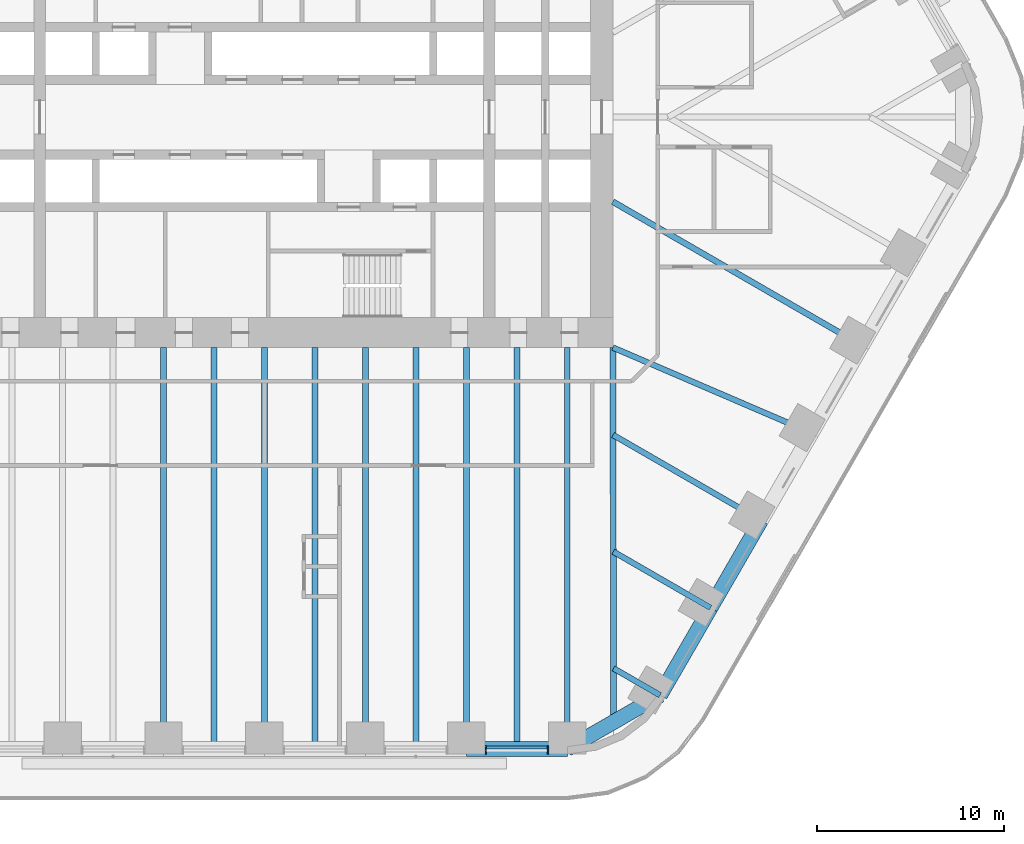
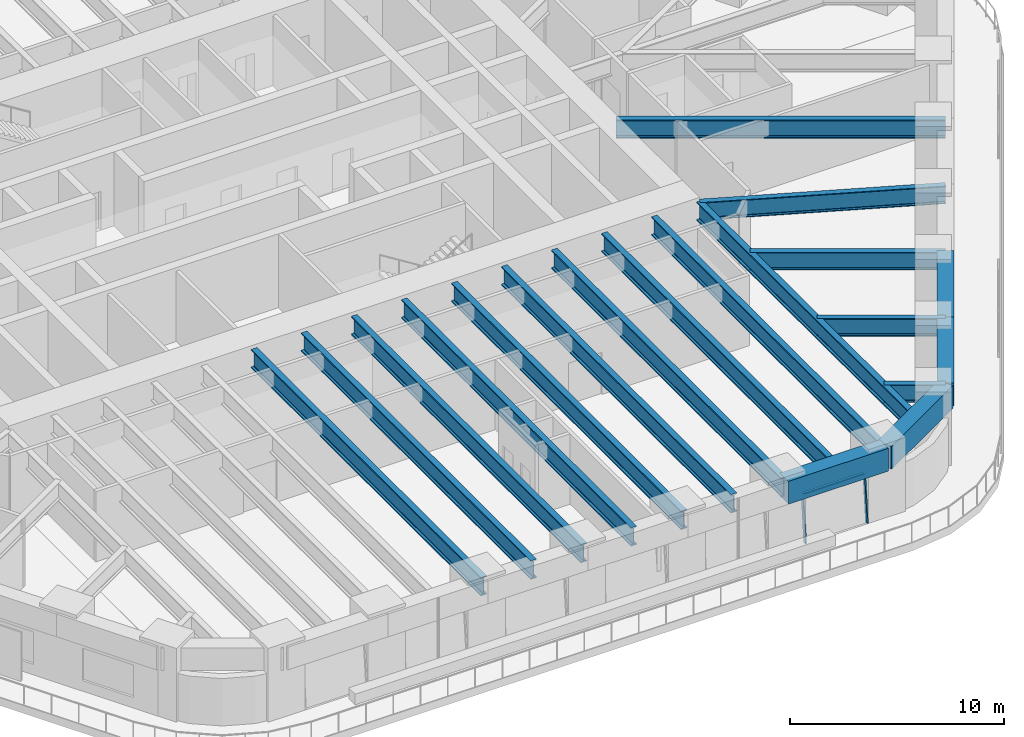
# One storey, part 5 of 24: 19 beams, 3 members, 1 element without a shape of its own.
"""IFC4 building model written with IfcOpenShell, lengths in metres."""

from ifc_helpers import new_model, si_unit, direction, frame, origin, origin_2d, place, context, subcontext, project, spatial, rectangle, i_section, extrude, material, material_profile, profile_set, type_object, element, aggregate, save


model = new_model("IFC4")

# Units and contexts
model_context = context("Model", 3, precision=1e-05, world=origin(), true_north=direction((0.0, 1.0)))
body_context = subcontext(model_context, "Body", "Model", "MODEL_VIEW")
ifc_project = project(units=[si_unit("LENGTHUNIT", "METRE"), si_unit("AREAUNIT", "SQUARE_METRE"), si_unit("VOLUMEUNIT", "CUBIC_METRE"), si_unit("PLANEANGLEUNIT", "RADIAN"), si_unit("MASSUNIT", "GRAM", prefix="KILO")], contexts=[model_context])

# Site, building, storey
site_placement = place(None, origin())
site = spatial("IfcSite", under=ifc_project, at=site_placement, CompositionType="ELEMENT")
building_placement = place(site_placement, origin())
building = spatial("IfcBuilding", under=site, at=building_placement, Name="Tarfa Lantern Tower", CompositionType="ELEMENT")
storey_placement = place(building_placement, frame((0.0, 0.0, 73.89990234375)))
storey = spatial("IfcBuildingStorey", under=building, at=storey_placement, Name="L16", CompositionType="ELEMENT", Elevation=73.89990234375)

# Curtain wall, members
ifc_material_1 = material(Name="Aluminium framed curtain wall", Category="aluminium")
curtain_wall_type = type_object("IfcCurtainWallType", Name="CW1 CANTED GLAZING LOW ZONE 2700", PredefinedType="USERDEFINED", material=ifc_material_1)
curtain_wall_placement = place(storey_placement, origin())
curtain_wall = element("IfcCurtainWall", 1, at=curtain_wall_placement, inside=storey, type_object=curtain_wall_type, Name="CW1 S L16", ObjectType="CURTAIN WALL", PredefinedType="USERDEFINED")
ifc_material_2 = material(Name="Aluminium mullion", Category="aluminium")
ifc_material_profile_1 = material_profile(ifc_material_2, rectangle(XDim=0.06494140625, YDim=0.199951171875, at=origin_2d()), Name="AL MULLION 65x200")
ifc_profile_set_1 = profile_set([ifc_material_profile_1], Name="Aluminium mullion")
member_type_1 = type_object("IfcMemberType", Name="CWM1 MULLION 65x200", PredefinedType="MULLION", material=ifc_profile_set_1)
member_1_placement = place(storey_placement, frame((11.809814453125, -33.89990234375, 0.0), z_axis=(0.0, 0.092191598296, 0.995741286281), x_axis=(-1.0, 0.0, 0.0)))
member_1 = element("IfcMember", 2, at=member_1_placement, type_object=member_type_1, Name="CW1 mullion 1", PredefinedType="MULLION", context=body_context, shape_type="SweptSolid", body=[
    extrude(rectangle(XDim=0.06494140625, YDim=0.199951171875, at=origin_2d()), origin(), (0.0, 0.0, 1.0), 2.711669921875),
])
member_2_placement = place(storey_placement, frame((15.13330078125, -33.89990234375, 0.0), z_axis=(0.0, 0.092191598296, 0.995741286281), x_axis=(-1.0, 0.0, 0.0)))
member_2 = element("IfcMember", 3, at=member_2_placement, type_object=member_type_1, Name="CW1 mullion 2", PredefinedType="MULLION", context=body_context, shape_type="SweptSolid", body=[
    extrude(rectangle(XDim=0.06494140625, YDim=0.199951171875, at=origin_2d()), origin(), (0.0, 0.0, 1.0), 2.711669921875),
])
ifc_material_3 = material(Name="Aluminium transom", Category="aluminium")
ifc_material_profile_2 = material_profile(ifc_material_3, rectangle(XDim=0.14990234375, YDim=0.06494140625, at=origin_2d()), Name="AL TRANSOM 150x65")
ifc_profile_set_2 = profile_set([ifc_material_profile_2], Name="Aluminium transom")
member_type_2 = type_object("IfcMemberType", Name="CWT1 TRANSOM 150x65", PredefinedType="USERDEFINED", material=ifc_profile_set_2)
member_3_placement = place(storey_placement, frame((11.84228515625, -33.653076171875, 2.66748046875), z_axis=(1.0, 0.0, 0.0), x_axis=(0.0, 1.0, 0.0)))
member_3 = element("IfcMember", 4, at=member_3_placement, type_object=member_type_2, Name="CW1 transom 1.2", ObjectType="TRANSOM", PredefinedType="USERDEFINED", context=body_context, shape_type="SweptSolid", body=[
    extrude(rectangle(XDim=0.14990234375, YDim=0.06494140625, at=origin_2d()), origin(), (0.0, 0.0, 1.0), 3.258544921875),
])
aggregate(curtain_wall, [member_1, member_2, member_3])

# Beams
ifc_material_4 = material(Name="Concrete C80/95", Category="concrete")
ifc_material_profile_3 = material_profile(ifc_material_4, rectangle(XDim=0.800048828125, YDim=1.300048828125, at=origin_2d()), Name="RC 800x1300")
ifc_profile_set_3 = profile_set([ifc_material_profile_3], Name="Concrete C80/95")
beam_type_1 = type_object("IfcBeamType", Name="EB1 RC 800x1300", PredefinedType="SPANDREL", material=ifc_profile_set_3)
beam_1_placement = place(storey_placement, frame((10.777099609375, -33.719970703125, 3.35009765625), z_axis=(1.0, 0.0, 0.0), x_axis=(0.0, 1.0, 0.0)))
element("IfcBeam", 5, at=beam_1_placement, inside=storey, type_object=beam_type_1, Name="Edge beam S5", PredefinedType="SPANDREL", context=body_context, shape_type="SweptSolid", body=[
    extrude(rectangle(XDim=0.800048828125, YDim=1.300048828125, at=origin_2d()), origin(), (0.0, 0.0, 1.0), 5.388671875),
])
beam_2_placement = place(storey_placement, frame((16.165771484375, -33.719970703125, 3.35009765625), z_axis=(0.866033479681, 0.499986011877, 0.0), x_axis=(-0.499986011877, 0.866033479681, 0.0)))
element("IfcBeam", 6, at=beam_2_placement, inside=storey, type_object=beam_type_1, Name="Edge beam S6", PredefinedType="SPANDREL", context=body_context, shape_type="SweptSolid", body=[
    extrude(rectangle(XDim=0.800048828125, YDim=1.300048828125, at=origin_2d()), origin(), (0.0, 0.0, 1.0), 5.719970703125),
])
for number, where, z_axis, x_axis, name in (
    (7, (21.119384765625, -30.860107421875, 3.35009765625), (0.499998287579, 0.866026392449, 0.0), (-0.866026392449, 0.499998287579, 0.0), "Edge beam SE0"),
    (8, (23.813720703125, -26.193359375, 3.35009765625), (0.499998287579, 0.866026392449, 0.0), (-0.866026392449, 0.499998287579, 0.0), "Edge beam SE1"),
):
    element("IfcBeam", number, at=place(storey_placement, frame(where, z_axis=z_axis, x_axis=x_axis)), inside=storey, type_object=beam_type_1, Name=name, PredefinedType="SPANDREL", context=body_context, shape_type="SweptSolid", body=[
        extrude(rectangle(XDim=0.800048828125, YDim=1.300048828125, at=origin_2d()), origin(), (0.0, 0.0, 1.0), 5.388671875),
    ])
ifc_material_5 = material(Name="Steel S460M", Category="steel")
ifc_material_profile_4 = material_profile(ifc_material_5, i_section(OverallWidth=0.302001953125, OverallDepth=1.008056640625, WebThickness=0.02099609375, FlangeThickness=0.0400390625, FilletRadius=0.030029296875, at=origin_2d()), Name="UB1016x305x349")
ifc_profile_set_4 = profile_set([ifc_material_profile_4], Name="Steel S460M")
beam_type_2 = type_object("IfcBeamType", Name="UB1016x305x349", PredefinedType="BEAM", material=ifc_profile_set_4)
beam_3_placement = place(storey_placement, frame((21.119384765625, -30.860107421875, 3.49609375), z_axis=(-0.866012580594, 0.500022209759, 0.0), x_axis=(-0.500022209759, -0.866012580594, 0.0)))
element("IfcBeam", 9, at=beam_3_placement, inside=storey, type_object=beam_type_2, Name="Floor beam SE0", PredefinedType="BEAM", context=body_context, shape_type="SweptSolid", body=[
    extrude(i_section(OverallWidth=0.302001953125, OverallDepth=1.008056640625, WebThickness=0.02099609375, FlangeThickness=0.0400390625, FilletRadius=0.030029296875, at=origin_2d()), origin(), (0.0, 0.0, 1.0), 2.866943359375),
])
beam_4_placement = place(storey_placement, frame((23.813720703125, -26.193359375, 3.49609375), z_axis=(-0.866015997389, 0.500016292001, 0.0), x_axis=(-0.500016292001, -0.866015997389, 0.0)))
element("IfcBeam", 10, at=beam_4_placement, inside=storey, type_object=beam_type_2, Name="Floor beam SE1", PredefinedType="BEAM", context=body_context, shape_type="SweptSolid", body=[
    extrude(i_section(OverallWidth=0.302001953125, OverallDepth=1.008056640625, WebThickness=0.02099609375, FlangeThickness=0.0400390625, FilletRadius=0.030029296875, at=origin_2d()), origin(), (0.0, 0.0, 1.0), 5.993408203125),
])
beam_5_placement = place(storey_placement, frame((26.508056640625, -21.526611328125, 3.49609375), z_axis=(-0.866035355799, 0.49998276221, 0.0), x_axis=(-0.49998276221, -0.866035355799, 0.0)))
element("IfcBeam", 11, at=beam_5_placement, inside=storey, type_object=beam_type_2, Name="Floor beam SE2", PredefinedType="BEAM", context=body_context, shape_type="SweptSolid", body=[
    extrude(i_section(OverallWidth=0.302001953125, OverallDepth=1.008056640625, WebThickness=0.02099609375, FlangeThickness=0.0400390625, FilletRadius=0.030029296875, at=origin_2d()), origin(), (0.0, 0.0, 1.0), 9.119873046875),
])
beam_6_placement = place(storey_placement, frame((29.202392578125, -16.860107421875, 3.49609375), z_axis=(-0.918635483867, 0.395106122175, 0.0), x_axis=(-0.395106122175, -0.918635483867, 0.0)))
element("IfcBeam", 12, at=beam_6_placement, inside=storey, type_object=beam_type_2, Name="Floor beam SE3", PredefinedType="BEAM", context=body_context, shape_type="SweptSolid", body=[
    extrude(i_section(OverallWidth=0.302001953125, OverallDepth=1.008056640625, WebThickness=0.02099609375, FlangeThickness=0.0400390625, FilletRadius=0.030029296875, at=origin_2d()), origin(), (0.0, 0.0, 1.0), 11.541259765625),
])
ifc_material_profile_5 = material_profile(ifc_material_5, i_section(OverallWidth=0.314208984375, OverallDepth=1.055908203125, WebThickness=0.035888671875, FlangeThickness=0.06396484375, FilletRadius=0.030029296875, at=origin_2d()), Name="UB1016x305x584")
ifc_profile_set_5 = profile_set([ifc_material_profile_5], Name="Steel S460M")
beam_type_3 = type_object("IfcBeamType", Name="UB1016x305x584", PredefinedType="BEAM", material=ifc_profile_set_5)
beam_7_placement = place(storey_placement, frame((18.60009765625, -12.300048828125, 3.47216796875), z_axis=(0.00212508222, -0.99999774201, 0.0), x_axis=(0.99999774201, 0.00212508222, 0.0)))
element("IfcBeam", 13, at=beam_7_placement, inside=storey, type_object=beam_type_3, Name="Hip girder SE", PredefinedType="BEAM", context=body_context, shape_type="SweptSolid", body=[
    extrude(i_section(OverallWidth=0.314208984375, OverallDepth=1.055908203125, WebThickness=0.035888671875, FlangeThickness=0.06396484375, FilletRadius=0.030029296875, at=origin_2d()), origin(), (0.0, 0.0, 1.0), 19.989990234375),
])
for number, where, z_axis, x_axis, name in (
    (14, (-5.388671875, -33.719970703125, 3.47216796875), (0.0, 1.0, 0.0), (-1.0, 0.0, 0.0), "Floor beam S2"),
    (15, (0.0, -33.719970703125, 3.47216796875), (0.0, 1.0, 0.0), (-1.0, 0.0, 0.0), "Floor beam S3"),
    (16, (5.388671875, -33.719970703125, 3.47216796875), (0.0, 1.0, 0.0), (-1.0, 0.0, 0.0), "Floor beam S4"),
    (17, (10.777099609375, -33.719970703125, 3.47216796875), (0.0, 1.0, 0.0), (-1.0, 0.0, 0.0), "Floor beam S5"),
    (18, (16.165771484375, -33.719970703125, 3.47216796875), (0.0, 1.0, 0.0), (-1.0, 0.0, 0.0), "Floor beam S6"),
):
    element("IfcBeam", number, at=place(storey_placement, frame(where, z_axis=z_axis, x_axis=x_axis)), inside=storey, type_object=beam_type_3, Name=name, PredefinedType="BEAM", context=body_context, shape_type="SweptSolid", body=[
        extrude(i_section(OverallWidth=0.314208984375, OverallDepth=1.055908203125, WebThickness=0.035888671875, FlangeThickness=0.06396484375, FilletRadius=0.030029296875, at=origin_2d()), origin(), (0.0, 0.0, 1.0), 21.419921875),
    ])
beam_8_placement = place(storey_placement, frame((31.896728515625, -12.193359375, 3.47216796875), z_axis=(-0.866026971665, 0.499997284341, 0.0), x_axis=(-0.499997284341, -0.866026971665, 0.0)))
element("IfcBeam", 19, at=beam_8_placement, inside=storey, type_object=beam_type_3, Name="Floor beam SE4", PredefinedType="BEAM", context=body_context, shape_type="SweptSolid", body=[
    extrude(i_section(OverallWidth=0.314208984375, OverallDepth=1.055908203125, WebThickness=0.035888671875, FlangeThickness=0.06396484375, FilletRadius=0.030029296875, at=origin_2d()), origin(), (0.0, 0.0, 1.0), 15.353515625),
])
for number, where, z_axis, x_axis, name in (
    (20, (-2.6943359375, -33.719970703125, 3.47216796875), (0.0, 1.0, 0.0), (-1.0, 0.0, 0.0), "Floor beam S2M"),
    (21, (2.6943359375, -33.719970703125, 3.47216796875), (0.0, 1.0, 0.0), (-1.0, 0.0, 0.0), "Floor beam S3M"),
    (22, (8.0830078125, -33.719970703125, 3.47216796875), (0.0, 1.0, 0.0), (-1.0, 0.0, 0.0), "Floor beam S4M"),
    (23, (13.471435546875, -33.719970703125, 3.47216796875), (0.0, 1.0, 0.0), (-1.0, 0.0, 0.0), "Floor beam S5M"),
):
    element("IfcBeam", number, at=place(storey_placement, frame(where, z_axis=z_axis, x_axis=x_axis)), inside=storey, type_object=beam_type_3, Name=name, PredefinedType="BEAM", context=body_context, shape_type="SweptSolid", body=[
        extrude(i_section(OverallWidth=0.314208984375, OverallDepth=1.055908203125, WebThickness=0.035888671875, FlangeThickness=0.06396484375, FilletRadius=0.030029296875, at=origin_2d()), origin(), (0.0, 0.0, 1.0), 21.419921875),
    ])

save(model, "model.ifc")
